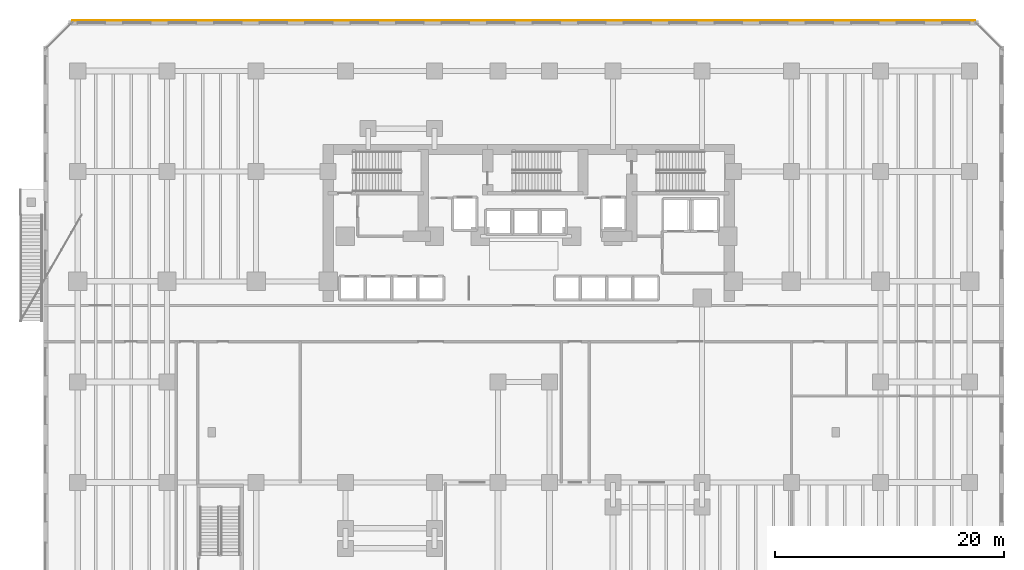
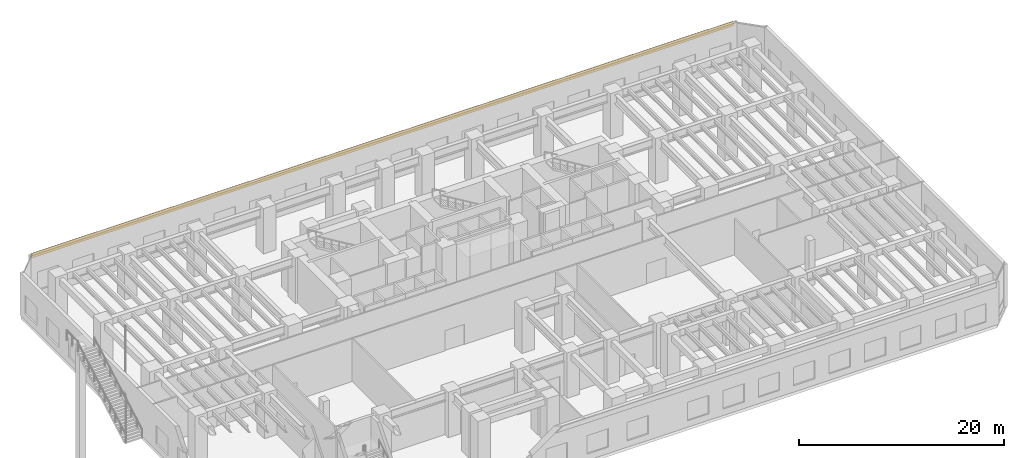
# One storey, part 21 of 21: 1 covering.
"""IFC4 building model written with IfcOpenShell, lengths in metres."""

from ifc_helpers import new_model, si_unit, direction, frame, origin, origin_2d, place, context, subcontext, project, spatial, rectangle, extrude, material, layer, layer_set, type_object, element, save


model = new_model("IFC4")

# Units and contexts
model_context = context("Model", 3, precision=1e-05, world=origin(), true_north=direction((0.0, 1.0)))
body_context = subcontext(model_context, "Body", "Model", "MODEL_VIEW")
ifc_project = project(units=[si_unit("LENGTHUNIT", "METRE"), si_unit("AREAUNIT", "SQUARE_METRE"), si_unit("VOLUMEUNIT", "CUBIC_METRE"), si_unit("PLANEANGLEUNIT", "RADIAN"), si_unit("MASSUNIT", "GRAM", prefix="KILO")], contexts=[model_context])

# Site, building, storey
site_placement = place(None, origin())
site = spatial("IfcSite", under=ifc_project, at=site_placement, CompositionType="ELEMENT")
building_placement = place(site_placement, origin())
building = spatial("IfcBuilding", under=site, at=building_placement, Name="Kestravale Grand Hotel", CompositionType="ELEMENT")
storey_placement = place(building_placement, frame((0.0, 0.0, 10.39990234375)))
storey = spatial("IfcBuildingStorey", under=building, at=storey_placement, Name="L02", CompositionType="ELEMENT", Elevation=10.39990234375)

# Covering
ifc_material = material(Name="Warm limestone-toned fluted architectural precast cladding", Category="masonry")
ifc_layer = layer(ifc_material, 0.074951171875)
ifc_layer_set = layer_set([ifc_layer], Name="COV-CLAD-LIM")
covering_type = type_object("IfcCoveringType", Name="COV-CLAD-LIM", PredefinedType="CLADDING", material=ifc_layer_set)
covering_placement = place(storey_placement, frame((39.0, 51.614990234375, 4.52490234375), z_axis=(0.0, 0.0, 1.0), x_axis=(-1.0, 0.0, 0.0)))
element("IfcCovering", 1, at=covering_placement, inside=storey, type_object=covering_type, Name="L02 fluted limestone spandrel cladding 5", PredefinedType="CLADDING", context=body_context, shape_type="SweptSolid", body=[
    extrude(rectangle(XDim=78.97998046875, YDim=0.074951171875, at=origin_2d()), origin(), (0.0, 0.0, 1.0), 0.550048828125),
])

save(model, "model.ifc")
